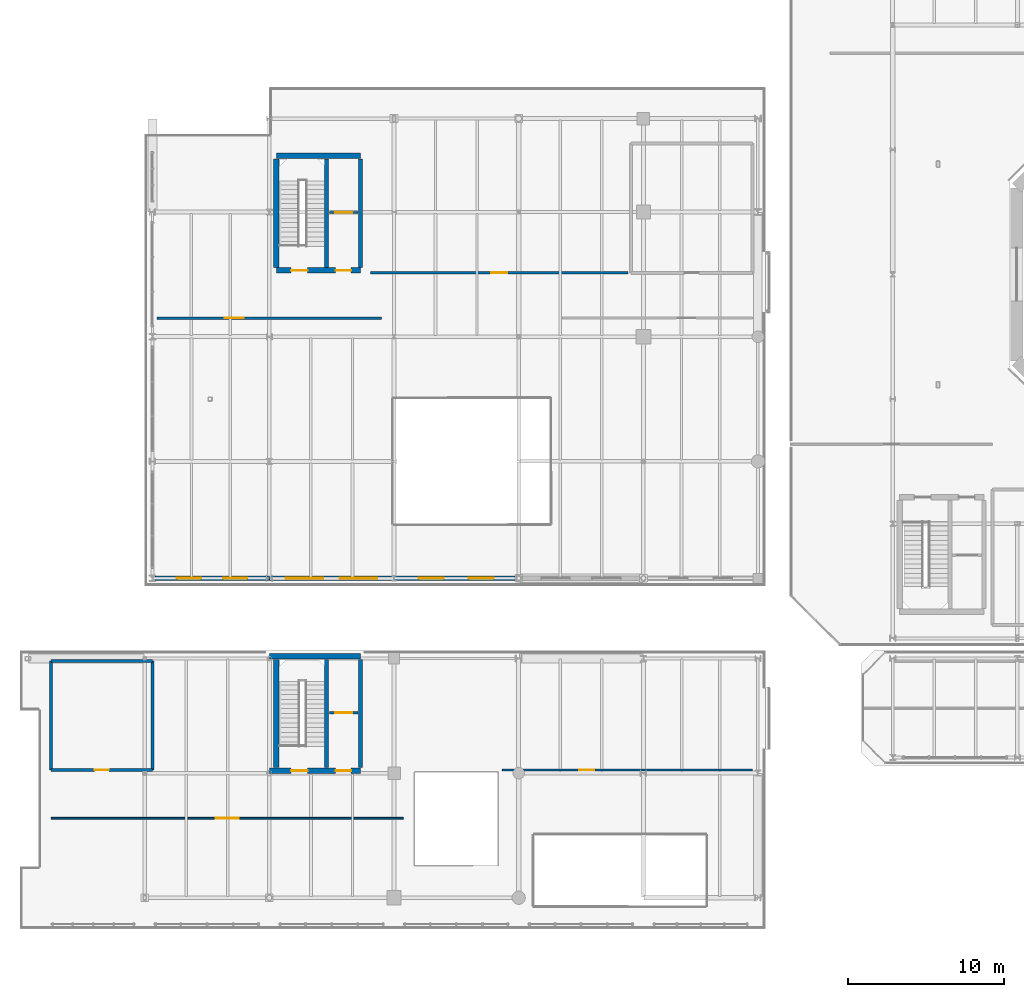
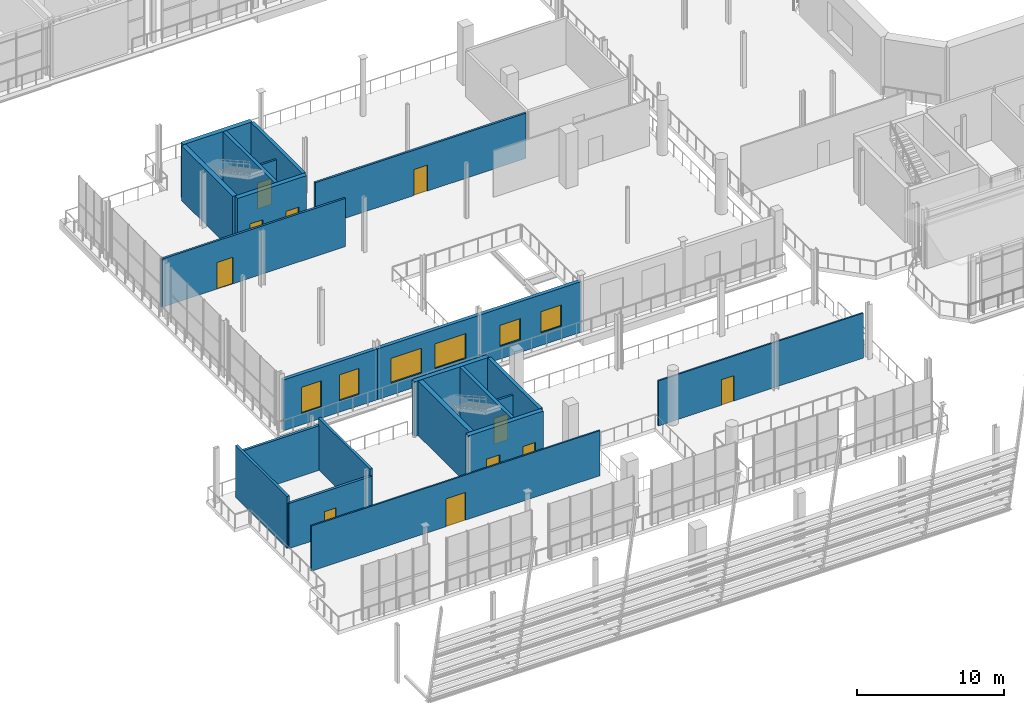
# One storey, part 68 of 93: 23 walls, 11 doors, 6 windows, 17 openings.
"""IFC4 building model written with IfcOpenShell, lengths in metres."""

from ifc_helpers import new_model, si_unit, direction, frame, frame_2d, origin, place, context, subcontext, project, spatial, rectangle, extrude, material, layer, layer_set, type_object, element, fill, save


model = new_model("IFC4")

# Units and contexts
model_context = context("Model", 3, precision=1e-05, world=origin(), true_north=direction((0.0, 1.0)))
body_context = subcontext(model_context, "Body", "Model", "MODEL_VIEW")
ifc_project = project(units=[si_unit("LENGTHUNIT", "METRE"), si_unit("AREAUNIT", "SQUARE_METRE"), si_unit("VOLUMEUNIT", "CUBIC_METRE"), si_unit("PLANEANGLEUNIT", "RADIAN"), si_unit("MASSUNIT", "GRAM", prefix="KILO")], contexts=[model_context])

# Site, building, storey
site_placement = place(None, origin())
site = spatial("IfcSite", under=ifc_project, at=site_placement, CompositionType="ELEMENT")
building_placement = place(site_placement, origin())
building = spatial("IfcBuilding", under=site, at=building_placement, Name="Brisemont Oceanarium", CompositionType="ELEMENT")
storey_placement = place(building_placement, frame((0.0, 0.0, 5.39990234375)))
storey = spatial("IfcBuildingStorey", under=building, at=storey_placement, Name="L01", CompositionType="ELEMENT", Elevation=5.39990234375)

# Wall, openings, windows
ifc_material_1 = material(Name="Beaux-Arts Limestone Cladding Precast Concrete C40/50", Category="masonry")
ifc_layer_1 = layer(ifc_material_1, 0.280029296875)
ifc_layer_set_1 = layer_set([ifc_layer_1], Name="Beaux-Arts Limestone Cladding Precast Concrete C40/50")
wall_type_1 = type_object("IfcWallType", Name="EW-LIME-280", PredefinedType="STANDARD", material=ifc_layer_set_1)
wall_1_placement = place(storey_placement, frame((16.64990234375, 36.5, 0.0), z_axis=(0.0, 0.0, 1.0), x_axis=(1.0, 0.0, 0.0)))
wall_1 = element("IfcWall", 1, at=wall_1_placement, inside=storey, type_object=wall_type_1, Name="Beaux-Arts exterior wall EW-V5WS-L01-1", PredefinedType="STANDARD", context=body_context, shape_type="SweptSolid", body=[
    extrude(rectangle(XDim=7.35009765625, YDim=0.280029296875, at=frame_2d((3.675048828125, 0.0))), origin(), (0.0, 0.0, 1.0), 4.2001953125),
])
opening_1_placement = place(wall_1_placement, frame((1.416748046875, 0.0, 0.949951171875)))
opening_1 = element("IfcOpeningElement", 2, at=opening_1_placement, cuts=wall_1, Name="Opening WIN-21", PredefinedType="OPENING", context=body_context, shape_type="SweptSolid", body=[
    extrude(rectangle(XDim=1.550048828125, YDim=2.14990234375, at=frame_2d((0.77490234375, 1.074951171875))), frame((0.0, 0.14990234375, 0.0), z_axis=(0.0, -1.0, 0.0), x_axis=(1.0, 0.0, 0.0)), (0.0, 0.0, 1.0), 0.300048828125),
])
opening_2_placement = place(wall_1_placement, frame((4.38330078125, 0.0, 0.949951171875)))
opening_2 = element("IfcOpeningElement", 3, at=opening_2_placement, cuts=wall_1, Name="Opening WIN-21", PredefinedType="OPENING", context=body_context, shape_type="SweptSolid", body=[
    extrude(rectangle(XDim=1.550048828125, YDim=2.14990234375, at=frame_2d((0.77490234375, 1.074951171875))), frame((0.0, 0.14990234375, 0.0), z_axis=(0.0, -1.0, 0.0), x_axis=(1.0, 0.0, 0.0)), (0.0, 0.0, 1.0), 0.300048828125),
])
ifc_material_2 = material(Name="Insulated Low-E Laminated Glass", Category="glass")
window_type_1 = type_object("IfcWindowType", Name="WIN-BA-1550X2150", PartitioningType="SINGLE_PANEL", PredefinedType="WINDOW", material=ifc_material_2)
window_1_placement = place(opening_1_placement, origin())
window_1 = element("IfcWindow", 4, at=window_1_placement, inside=storey, type_object=window_type_1, Name="WIN-21 facade window 21", OverallHeight=2.14990234375, OverallWidth=1.550048828125, PartitioningType="SINGLE_PANEL", PredefinedType="WINDOW", context=body_context, shape_type="SweptSolid", body=[
    extrude(rectangle(XDim=1.550048828125, YDim=2.14990234375, at=frame_2d((0.77490234375, 1.074951171875))), frame((0.0, 0.030029296875, 0.0), z_axis=(0.0, -1.0, 0.0), x_axis=(1.0, 0.0, 0.0)), (0.0, 0.0, 1.0), 0.06005859375),
])
fill(opening_1, window_1)
window_2_placement = place(opening_2_placement, origin())
window_2 = element("IfcWindow", 5, at=window_2_placement, inside=storey, type_object=window_type_1, Name="WIN-21 facade window 22", OverallHeight=2.14990234375, OverallWidth=1.550048828125, PartitioningType="SINGLE_PANEL", PredefinedType="WINDOW", context=body_context, shape_type="SweptSolid", body=[
    extrude(rectangle(XDim=1.550048828125, YDim=2.14990234375, at=frame_2d((0.77490234375, 1.074951171875))), frame((0.0, 0.030029296875, 0.0), z_axis=(0.0, -1.0, 0.0), x_axis=(1.0, 0.0, 0.0)), (0.0, 0.0, 1.0), 0.06005859375),
])
fill(opening_2, window_2)

wall_2_placement = place(storey_placement, frame((24.0, 36.5, 0.0), z_axis=(0.0, 0.0, 1.0), x_axis=(1.0, 0.0, 0.0)))
wall_2 = element("IfcWall", 6, at=wall_2_placement, inside=storey, type_object=wall_type_1, Name="Beaux-Arts exterior wall EW-V5WS-L01-2", PredefinedType="STANDARD", context=body_context, shape_type="SweptSolid", body=[
    extrude(rectangle(XDim=8.0, YDim=0.280029296875, at=frame_2d((4.0, 0.0))), origin(), (0.0, 0.0, 1.0), 4.2001953125),
])
opening_3_placement = place(wall_2_placement, frame((1.066650390625, 0.0, 1.0)))
opening_3 = element("IfcOpeningElement", 7, at=opening_3_placement, cuts=wall_2, Name="Opening WIN-25", PredefinedType="OPENING", context=body_context, shape_type="SweptSolid", body=[
    extrude(rectangle(XDim=2.39990234375, YDim=2.050048828125, at=frame_2d((1.199951171875, 1.02490234375))), frame((0.0, 0.14990234375, 0.0), z_axis=(0.0, -1.0, 0.0), x_axis=(1.0, 0.0, 0.0)), (0.0, 0.0, 1.0), 0.300048828125),
])
opening_4_placement = place(wall_2_placement, frame((4.533203125, 0.0, 1.0)))
opening_4 = element("IfcOpeningElement", 8, at=opening_4_placement, cuts=wall_2, Name="Opening WIN-25", PredefinedType="OPENING", context=body_context, shape_type="SweptSolid", body=[
    extrude(rectangle(XDim=2.39990234375, YDim=2.050048828125, at=frame_2d((1.199951171875, 1.02490234375))), frame((0.0, 0.14990234375, 0.0), z_axis=(0.0, -1.0, 0.0), x_axis=(1.0, 0.0, 0.0)), (0.0, 0.0, 1.0), 0.300048828125),
])
ifc_material_3 = material(Name="Insulated Low-E Laminated Glass", Category="glass")
window_type_2 = type_object("IfcWindowType", Name="WIN-LAB-2400X2050", PartitioningType="SINGLE_PANEL", PredefinedType="WINDOW", material=ifc_material_3)
window_3_placement = place(opening_3_placement, origin())
window_3 = element("IfcWindow", 9, at=window_3_placement, inside=storey, type_object=window_type_2, Name="WIN-25 facade window 25", OverallHeight=2.050048828125, OverallWidth=2.39990234375, PartitioningType="SINGLE_PANEL", PredefinedType="WINDOW", context=body_context, shape_type="SweptSolid", body=[
    extrude(rectangle(XDim=2.39990234375, YDim=2.050048828125, at=frame_2d((1.199951171875, 1.02490234375))), frame((0.0, 0.030029296875, 0.0), z_axis=(0.0, -1.0, 0.0), x_axis=(1.0, 0.0, 0.0)), (0.0, 0.0, 1.0), 0.06005859375),
])
fill(opening_3, window_3)
window_4_placement = place(opening_4_placement, origin())
window_4 = element("IfcWindow", 10, at=window_4_placement, inside=storey, type_object=window_type_2, Name="WIN-25 facade window 26", OverallHeight=2.050048828125, OverallWidth=2.39990234375, PartitioningType="SINGLE_PANEL", PredefinedType="WINDOW", context=body_context, shape_type="SweptSolid", body=[
    extrude(rectangle(XDim=2.39990234375, YDim=2.050048828125, at=frame_2d((1.199951171875, 1.02490234375))), frame((0.0, 0.030029296875, 0.0), z_axis=(0.0, -1.0, 0.0), x_axis=(1.0, 0.0, 0.0)), (0.0, 0.0, 1.0), 0.06005859375),
])
fill(opening_4, window_4)

wall_3_placement = place(storey_placement, frame((32.0, 36.5, 0.0), z_axis=(0.0, 0.0, 1.0), x_axis=(1.0, 0.0, 0.0)))
wall_3 = element("IfcWall", 11, at=wall_3_placement, inside=storey, type_object=wall_type_1, Name="Beaux-Arts exterior wall EW-V5WS-L01-3", PredefinedType="STANDARD", context=body_context, shape_type="SweptSolid", body=[
    extrude(rectangle(XDim=8.0, YDim=0.280029296875, at=frame_2d((4.0, 0.0))), origin(), (0.0, 0.0, 1.0), 4.2001953125),
])
opening_5_placement = place(wall_3_placement, frame((1.60009765625, 0.0, 1.050048828125)))
opening_5 = element("IfcOpeningElement", 12, at=opening_5_placement, cuts=wall_3, Name="Opening WIN-27", PredefinedType="OPENING", context=body_context, shape_type="SweptSolid", body=[
    extrude(rectangle(XDim=1.60009765625, YDim=1.75, at=frame_2d((0.800048828125, 0.875))), frame((0.0, 0.14990234375, 0.0), z_axis=(0.0, -1.0, 0.0), x_axis=(1.0, 0.0, 0.0)), (0.0, 0.0, 1.0), 0.300048828125),
])
opening_6_placement = place(wall_3_placement, frame((4.800048828125, 0.0, 1.050048828125)))
opening_6 = element("IfcOpeningElement", 13, at=opening_6_placement, cuts=wall_3, Name="Opening WIN-27", PredefinedType="OPENING", context=body_context, shape_type="SweptSolid", body=[
    extrude(rectangle(XDim=1.60009765625, YDim=1.75, at=frame_2d((0.800048828125, 0.875))), frame((0.0, 0.14990234375, 0.0), z_axis=(0.0, -1.0, 0.0), x_axis=(1.0, 0.0, 0.0)), (0.0, 0.0, 1.0), 0.300048828125),
])
ifc_material_4 = material(Name="Insulated Low-E Laminated Glass", Category="glass")
window_type_3 = type_object("IfcWindowType", Name="WIN-LAB-1600X1750", PartitioningType="SINGLE_PANEL", PredefinedType="WINDOW", material=ifc_material_4)
window_5_placement = place(opening_5_placement, origin())
window_5 = element("IfcWindow", 14, at=window_5_placement, inside=storey, type_object=window_type_3, Name="WIN-27 facade window 27", OverallHeight=1.75, OverallWidth=1.60009765625, PartitioningType="SINGLE_PANEL", PredefinedType="WINDOW", context=body_context, shape_type="SweptSolid", body=[
    extrude(rectangle(XDim=1.60009765625, YDim=1.75, at=frame_2d((0.800048828125, 0.875))), frame((0.0, 0.030029296875, 0.0), z_axis=(0.0, -1.0, 0.0), x_axis=(1.0, 0.0, 0.0)), (0.0, 0.0, 1.0), 0.06005859375),
])
fill(opening_5, window_5)
window_6_placement = place(opening_6_placement, origin())
window_6 = element("IfcWindow", 15, at=window_6_placement, inside=storey, type_object=window_type_3, Name="WIN-27 facade window 28", OverallHeight=1.75, OverallWidth=1.60009765625, PartitioningType="SINGLE_PANEL", PredefinedType="WINDOW", context=body_context, shape_type="SweptSolid", body=[
    extrude(rectangle(XDim=1.60009765625, YDim=1.75, at=frame_2d((0.800048828125, 0.875))), frame((0.0, 0.030029296875, 0.0), z_axis=(0.0, -1.0, 0.0), x_axis=(1.0, 0.0, 0.0)), (0.0, 0.0, 1.0), 0.06005859375),
])
fill(opening_6, window_6)

# Wall, opening, door
ifc_material_5 = material(Name="Moisture-Resistant Gypsum Steel-Stud Partition", Category="steel")
ifc_layer_2 = layer(ifc_material_5, 0.159912109375)
ifc_layer_set_2 = layer_set([ifc_layer_2], Name="Moisture-Resistant Gypsum Steel-Stud Partition")
wall_type_2 = type_object("IfcWallType", Name="IW-FB-160", PredefinedType="PARTITIONING", material=ifc_layer_set_2)
wall_4_placement = place(storey_placement, frame((27.85009765625, 27.8701171875, 0.0), z_axis=(0.0, 0.0, 1.0), x_axis=(1.0, 0.0, 0.0)))
wall_4 = element("IfcWall", 16, at=wall_4_placement, inside=storey, type_object=wall_type_2, Name="Core C3 L01 lift hoistway front wall", PredefinedType="PARTITIONING", context=body_context, shape_type="SweptSolid", body=[
    extrude(rectangle(XDim=1.83984375, YDim=0.159912109375, at=frame_2d((0.919921875, 0.0))), origin(), (0.0, 0.0, 1.0), 3.60009765625),
])
opening_7_placement = place(wall_4_placement, frame((0.3701171875, 0.0, 0.0)))
opening_7 = element("IfcOpeningElement", 17, at=opening_7_placement, cuts=wall_4, Name="Opening LD-01", PredefinedType="OPENING", context=body_context, shape_type="SweptSolid", body=[
    extrude(rectangle(XDim=1.10009765625, YDim=2.14990234375, at=frame_2d((0.550048828125, 1.074951171875))), frame((0.0, 0.08984375, 0.0), z_axis=(0.0, -1.0, 0.0), x_axis=(1.0, 0.0, 0.0)), (0.0, 0.0, 1.0), 0.179931640625),
])
ifc_material_6 = material(Name="Duplex Stainless Steel EN 1.4462", Category="steel")
door_type_1 = type_object("IfcDoorType", Name="DR-LIFT-1100X2150", OperationType="NOTDEFINED", PredefinedType="DOOR", material=ifc_material_6)
door_1_placement = place(opening_7_placement, origin())
door_1 = element("IfcDoor", 18, at=door_1_placement, inside=storey, type_object=door_type_1, Name="Lift landing door LF-03 L01", OperationType="SLIDING_TO_LEFT", OverallHeight=2.14990234375, OverallWidth=1.10009765625, PredefinedType="DOOR", context=body_context, shape_type="SweptSolid", body=[
    extrude(rectangle(XDim=1.10009765625, YDim=2.14990234375, at=frame_2d((0.550048828125, 1.074951171875))), frame((0.0, 0.02490234375, 0.0), z_axis=(0.0, -1.0, 0.0), x_axis=(1.0, 0.0, 0.0)), (0.0, 0.0, 1.0), 0.050048828125),
])
fill(opening_7, door_1)

wall_5_placement = place(storey_placement, frame((27.85009765625, 59.969970703125, 0.0), z_axis=(0.0, 0.0, 1.0), x_axis=(1.0, 0.0, 0.0)))
wall_5 = element("IfcWall", 19, at=wall_5_placement, inside=storey, type_object=wall_type_2, Name="Core C5 L01 lift hoistway front wall", PredefinedType="PARTITIONING", context=body_context, shape_type="SweptSolid", body=[
    extrude(rectangle(XDim=1.83984375, YDim=0.159912109375, at=frame_2d((0.919921875, 0.0))), origin(), (0.0, 0.0, 1.0), 3.60009765625),
])
opening_8_placement = place(wall_5_placement, frame((0.3701171875, 0.0, 0.0)))
opening_8 = element("IfcOpeningElement", 20, at=opening_8_placement, cuts=wall_5, Name="Opening LD-01", PredefinedType="OPENING", context=body_context, shape_type="SweptSolid", body=[
    extrude(rectangle(XDim=1.10009765625, YDim=2.14990234375, at=frame_2d((0.550048828125, 1.074951171875))), frame((0.0, 0.08984375, 0.0), z_axis=(0.0, -1.0, 0.0), x_axis=(1.0, 0.0, 0.0)), (0.0, 0.0, 1.0), 0.179931640625),
])
door_2_placement = place(opening_8_placement, origin())
door_2 = element("IfcDoor", 21, at=door_2_placement, inside=storey, type_object=door_type_1, Name="Lift landing door LF-05 L01", OperationType="SLIDING_TO_LEFT", OverallHeight=2.14990234375, OverallWidth=1.10009765625, PredefinedType="DOOR", context=body_context, shape_type="SweptSolid", body=[
    extrude(rectangle(XDim=1.10009765625, YDim=2.14990234375, at=frame_2d((0.550048828125, 1.074951171875))), frame((0.0, 0.02490234375, 0.0), z_axis=(0.0, -1.0, 0.0), x_axis=(1.0, 0.0, 0.0)), (0.0, 0.0, 1.0), 0.050048828125),
])
fill(opening_8, door_2)

wall_6_placement = place(storey_placement, frame((16.800048828125, 53.199951171875, 0.0), z_axis=(0.0, 0.0, 1.0), x_axis=(1.0, 0.0, 0.0)))
wall_6 = element("IfcWall", 22, at=wall_6_placement, inside=storey, type_object=wall_type_2, Name="Kelp Canopy Overlook Exhibit Gallery corridor partition", PredefinedType="PARTITIONING", context=body_context, shape_type="SweptSolid", body=[
    extrude(rectangle(XDim=14.39990234375, YDim=0.159912109375, at=frame_2d((7.199951171875, 0.0))), origin(), (0.0, 0.0, 1.0), 3.987060546875),
])
opening_9_placement = place(wall_6_placement, frame((4.3232421875, 0.0, 0.0)))
opening_9 = element("IfcOpeningElement", 23, at=opening_9_placement, cuts=wall_6, Name="Opening LB-02", PredefinedType="OPENING", context=body_context, shape_type="SweptSolid", body=[
    extrude(rectangle(XDim=1.25, YDim=2.199951171875, at=frame_2d((0.625, 1.10009765625))), frame((0.0, 0.08984375, 0.0), z_axis=(0.0, -1.0, 0.0), x_axis=(1.0, 0.0, 0.0)), (0.0, 0.0, 1.0), 0.179931640625),
])
ifc_material_7 = material(Name="Duplex Stainless Steel EN 1.4462", Category="steel")
door_type_2 = type_object("IfcDoorType", Name="DR-LAB-1250X2200", OperationType="NOTDEFINED", PredefinedType="DOOR", material=ifc_material_7)
door_3_placement = place(opening_9_placement, origin())
door_3 = element("IfcDoor", 24, at=door_3_placement, inside=storey, type_object=door_type_2, Name="LB-02 door to Kelp Canopy Overlook Exhibit Gallery", OperationType="SINGLE_SWING_RIGHT", OverallHeight=2.199951171875, OverallWidth=1.25, PredefinedType="DOOR", context=body_context, shape_type="SweptSolid", body=[
    extrude(rectangle(XDim=1.25, YDim=2.199951171875, at=frame_2d((0.625, 1.10009765625))), frame((0.0, 0.02490234375, 0.0), z_axis=(0.0, -1.0, 0.0), x_axis=(1.0, 0.0, 0.0)), (0.0, 0.0, 1.0), 0.050048828125),
])
fill(opening_9, door_3)

wall_7_placement = place(storey_placement, frame((30.5, 56.10009765625, 0.0), z_axis=(0.0, 0.0, 1.0), x_axis=(1.0, 0.0, 0.0)))
wall_7 = element("IfcWall", 25, at=wall_7_placement, inside=storey, type_object=wall_type_2, Name="Northern Pacific Fjord Exhibit Gallery corridor partition", PredefinedType="PARTITIONING", context=body_context, shape_type="SweptSolid", body=[
    extrude(rectangle(XDim=16.5, YDim=0.159912109375, at=frame_2d((8.25, 0.0))), origin(), (0.0, 0.0, 1.0), 3.758056640625),
])
opening_10_placement = place(wall_7_placement, frame((7.739990234375, 0.0, 0.0)))
opening_10 = element("IfcOpeningElement", 26, at=opening_10_placement, cuts=wall_7, Name="Opening D-01", PredefinedType="OPENING", context=body_context, shape_type="SweptSolid", body=[
    extrude(rectangle(XDim=1.02001953125, YDim=2.14990234375, at=frame_2d((0.510009765625, 1.074951171875))), frame((0.0, 0.08984375, 0.0), z_axis=(0.0, -1.0, 0.0), x_axis=(1.0, 0.0, 0.0)), (0.0, 0.0, 1.0), 0.179931640625),
])
ifc_material_8 = material(Name="FSC White Oak Solid-Core Fire Door")
door_type_3 = type_object("IfcDoorType", Name="DR-RM-1020X2150", OperationType="NOTDEFINED", PredefinedType="DOOR", material=ifc_material_8)
door_4_placement = place(opening_10_placement, origin())
door_4 = element("IfcDoor", 27, at=door_4_placement, inside=storey, type_object=door_type_3, Name="D-01 door to Northern Pacific Fjord Exhibit Gallery", OperationType="SINGLE_SWING_RIGHT", OverallHeight=2.14990234375, OverallWidth=1.02001953125, PredefinedType="DOOR", context=body_context, shape_type="SweptSolid", body=[
    extrude(rectangle(XDim=1.02001953125, YDim=2.14990234375, at=frame_2d((0.510009765625, 1.074951171875))), frame((0.0, 0.02490234375, 0.0), z_axis=(0.0, -1.0, 0.0), x_axis=(1.0, 0.0, 0.0)), (0.0, 0.0, 1.0), 0.050048828125),
])
fill(opening_10, door_4)

ifc_material_9 = material(Name="Moisture-Resistant Gypsum Steel-Stud Partition", Category="steel")
ifc_layer_3 = layer(ifc_material_9, 0.1201171875)
ifc_layer_set_3 = layer_set([ifc_layer_3], Name="Moisture-Resistant Gypsum Steel-Stud Partition")
wall_type_3 = type_object("IfcWallType", Name="IW-PART-120", PredefinedType="PARTITIONING", material=ifc_layer_set_3)
wall_8_placement = place(storey_placement, frame((10.0, 21.10009765625, 0.0), z_axis=(0.0, 0.0, 1.0), x_axis=(1.0, 0.0, 0.0)))
wall_8 = element("IfcWall", 28, at=wall_8_placement, inside=storey, type_object=wall_type_3, Name="Pelagic Migration Mezzanine Exhibit Gallery corridor partition", PredefinedType="PARTITIONING", context=body_context, shape_type="SweptSolid", body=[
    extrude(rectangle(XDim=22.60009765625, YDim=0.1201171875, at=frame_2d((11.300048828125, 0.0))), origin(), (0.0, 0.0, 1.0), 3.738037109375),
])
opening_11_placement = place(wall_8_placement, frame((10.550048828125, 0.0, 0.0)))
opening_11 = element("IfcOpeningElement", 29, at=opening_11_placement, cuts=wall_8, Name="Opening GD-03", PredefinedType="OPENING", context=body_context, shape_type="SweptSolid", body=[
    extrude(rectangle(XDim=1.5, YDim=2.300048828125, at=frame_2d((0.75, 1.14990234375))), frame((0.0, 0.070068359375, 0.0), z_axis=(0.0, -1.0, 0.0), x_axis=(1.0, 0.0, 0.0)), (0.0, 0.0, 1.0), 0.14013671875),
])
ifc_material_10 = material(Name="Patinated Architectural Bronze C38500")
door_type_4 = type_object("IfcDoorType", Name="DR-GAL-1500X2300", OperationType="NOTDEFINED", PredefinedType="DOOR", material=ifc_material_10)
door_5_placement = place(opening_11_placement, origin())
door_5 = element("IfcDoor", 30, at=door_5_placement, inside=storey, type_object=door_type_4, Name="GD-03 door to Pelagic Migration Mezzanine Exhibit Gallery", OperationType="SINGLE_SWING_LEFT", OverallHeight=2.300048828125, OverallWidth=1.5, PredefinedType="DOOR", context=body_context, shape_type="SweptSolid", body=[
    extrude(rectangle(XDim=1.5, YDim=2.300048828125, at=frame_2d((0.75, 1.14990234375))), frame((0.0, 0.02490234375, 0.0), z_axis=(0.0, -1.0, 0.0), x_axis=(1.0, 0.0, 0.0)), (0.0, 0.0, 1.0), 0.050048828125),
])
fill(opening_11, door_5)

wall_9_placement = place(storey_placement, frame((38.9599609375, 24.199951171875, 0.0), z_axis=(0.0, 0.0, 1.0), x_axis=(1.0, 0.0, 0.0)))
wall_9 = element("IfcWall", 31, at=wall_9_placement, inside=storey, type_object=wall_type_3, Name="Oceanographic Currents Interactive Gallery corridor partition", PredefinedType="PARTITIONING", context=body_context, shape_type="SweptSolid", body=[
    extrude(rectangle(XDim=16.0400390625, YDim=0.1201171875, at=frame_2d((8.02001953125, 0.0))), origin(), (0.0, 0.0, 1.0), 3.738037109375),
])
opening_12_placement = place(wall_9_placement, frame((4.94091796875, 0.0, 0.0)))
opening_12 = element("IfcOpeningElement", 32, at=opening_12_placement, cuts=wall_9, Name="Opening D-02", PredefinedType="OPENING", context=body_context, shape_type="SweptSolid", body=[
    extrude(rectangle(XDim=0.9599609375, YDim=2.10009765625, at=frame_2d((0.47998046875, 1.050048828125))), frame((0.0, 0.070068359375, 0.0), z_axis=(0.0, -1.0, 0.0), x_axis=(1.0, 0.0, 0.0)), (0.0, 0.0, 1.0), 0.14013671875),
])
ifc_material_11 = material(Name="FSC White Oak Solid-Core Fire Door")
door_type_5 = type_object("IfcDoorType", Name="DR-RM-960X2100", OperationType="NOTDEFINED", PredefinedType="DOOR", material=ifc_material_11)
door_6_placement = place(opening_12_placement, origin())
door_6 = element("IfcDoor", 33, at=door_6_placement, inside=storey, type_object=door_type_5, Name="D-02 door to Oceanographic Currents Interactive Gallery", OperationType="SINGLE_SWING_LEFT", OverallHeight=2.10009765625, OverallWidth=0.9599609375, PredefinedType="DOOR", context=body_context, shape_type="SweptSolid", body=[
    extrude(rectangle(XDim=0.9599609375, YDim=2.10009765625, at=frame_2d((0.47998046875, 1.050048828125))), frame((0.0, 0.02490234375, 0.0), z_axis=(0.0, -1.0, 0.0), x_axis=(1.0, 0.0, 0.0)), (0.0, 0.0, 1.0), 0.050048828125),
])
fill(opening_12, door_6)

ifc_material_12 = material(Name="Cementitious Tile-Backer Plumbing Wall")
ifc_layer_4 = layer(ifc_material_12, 0.199951171875)
ifc_layer_set_4 = layer_set([ifc_layer_4], Name="Cementitious Tile-Backer Plumbing Wall")
wall_type_4 = type_object("IfcWallType", Name="IW-PLUMB-200", PredefinedType="PLUMBINGWALL", material=ifc_layer_set_4)
wall_10_placement = place(storey_placement, frame((10.0, 24.199951171875, 0.0), z_axis=(0.0, 0.0, 1.0), x_axis=(1.0, 0.0, 0.0)))
wall_10 = element("IfcWall", 34, at=wall_10_placement, inside=storey, type_object=wall_type_4, Name="Accessible WC corridor partition", PredefinedType="PLUMBINGWALL", context=body_context, shape_type="SweptSolid", body=[
    extrude(rectangle(XDim=6.5, YDim=0.199951171875, at=frame_2d((3.25, 0.0))), origin(), (0.0, 0.0, 1.0), 3.738037109375),
])
opening_13_placement = place(wall_10_placement, frame((2.794921875, 0.0, 0.0)))
opening_13 = element("IfcOpeningElement", 35, at=opening_13_placement, cuts=wall_10, Name="Opening D-03", PredefinedType="OPENING", context=body_context, shape_type="SweptSolid", body=[
    extrude(rectangle(XDim=0.909912109375, YDim=2.10009765625, at=frame_2d((0.455078125, 1.050048828125))), frame((0.0, 0.10986328125, 0.0), z_axis=(0.0, -1.0, 0.0), x_axis=(1.0, 0.0, 0.0)), (0.0, 0.0, 1.0), 0.219970703125),
])
ifc_material_13 = material(Name="FSC White Oak Solid-Core Fire Door")
door_type_6 = type_object("IfcDoorType", Name="DR-WC-910X2100", OperationType="NOTDEFINED", PredefinedType="DOOR", material=ifc_material_13)
door_7_placement = place(opening_13_placement, origin())
door_7 = element("IfcDoor", 36, at=door_7_placement, inside=storey, type_object=door_type_6, Name="D-03 door to Accessible WC", OperationType="SINGLE_SWING_RIGHT", OverallHeight=2.10009765625, OverallWidth=0.909912109375, PredefinedType="DOOR", context=body_context, shape_type="SweptSolid", body=[
    extrude(rectangle(XDim=0.909912109375, YDim=2.10009765625, at=frame_2d((0.455078125, 1.050048828125))), frame((0.0, 0.02490234375, 0.0), z_axis=(0.0, -1.0, 0.0), x_axis=(1.0, 0.0, 0.0)), (0.0, 0.0, 1.0), 0.050048828125),
])
fill(opening_13, door_7)

# Walls
wall_11_placement = place(storey_placement, frame((10.0, 31.199951171875, 0.0), z_axis=(0.0, 0.0, 1.0), x_axis=(1.0, 0.0, 0.0)))
element("IfcWall", 37, at=wall_11_placement, inside=storey, type_object=wall_type_4, Name="Accessible WC enclosure wall N", PredefinedType="PLUMBINGWALL", context=body_context, shape_type="SweptSolid", body=[
    extrude(rectangle(XDim=6.5, YDim=0.199951171875, at=frame_2d((3.25, 0.0))), origin(), (0.0, 0.0, 1.0), 3.7001953125),
])
for number, where, z_axis, x_axis, name in (
    (38, (10.0, 24.199951171875, 0.0), (0.0, 0.0, 1.0), (0.0, 1.0, 0.0), "Accessible WC enclosure wall W"),
    (39, (16.5, 24.199951171875, 0.0), (0.0, 0.0, 1.0), (0.0, 1.0, 0.0), "Accessible WC enclosure wall E"),
):
    element("IfcWall", number, at=place(storey_placement, frame(where, z_axis=z_axis, x_axis=x_axis)), inside=storey, type_object=wall_type_4, Name=name, PredefinedType="PLUMBINGWALL", context=body_context, shape_type="SweptSolid", body=[
        extrude(rectangle(XDim=7.0, YDim=0.199951171875, at=frame_2d((3.5, 0.0))), origin(), (0.0, 0.0, 1.0), 4.2900390625),
    ])
ifc_material_14 = material(Name="Concrete C40/50", Category="concrete")
ifc_layer_5 = layer(ifc_material_14, 0.260009765625)
ifc_layer_set_5 = layer_set([ifc_layer_5], Name="Concrete C40/50")
wall_type_5 = type_object("IfcWallType", Name="SW-SHAFT-260", PredefinedType="SHEAR", material=ifc_layer_set_5)
for number, where, z_axis, x_axis, name in (
    (40, (29.85009765625, 24.35009765625, 0.0), (0.0, 0.0, 1.0), (0.0, 1.0, 0.0), "Core C3 L01 E RC shear wall"),
    (41, (27.669921875, 24.35009765625, 0.0), (0.0, 0.0, 1.0), (0.0, 1.0, 0.0), "Core C3 L01 MID RC shear wall"),
):
    element("IfcWall", number, at=place(storey_placement, frame(where, z_axis=z_axis, x_axis=x_axis)), inside=storey, type_object=wall_type_5, Name=name, PredefinedType="SHEAR", context=body_context, shape_type="SweptSolid", body=[
        extrude(rectangle(XDim=6.949951171875, YDim=0.260009765625, at=frame_2d((3.47509765625, 0.0))), origin(), (0.0, 0.0, 1.0), 4.530029296875),
    ])
for number, where, z_axis, x_axis, name in (
    (42, (29.85009765625, 56.449951171875, 0.0), (0.0, 0.0, 1.0), (0.0, 1.0, 0.0), "Core C5 L01 E RC shear wall"),
    (43, (27.669921875, 56.449951171875, 0.0), (0.0, 0.0, 1.0), (0.0, 1.0, 0.0), "Core C5 L01 MID RC shear wall"),
):
    element("IfcWall", number, at=place(storey_placement, frame(where, z_axis=z_axis, x_axis=x_axis)), inside=storey, type_object=wall_type_5, Name=name, PredefinedType="SHEAR", context=body_context, shape_type="SweptSolid", body=[
        extrude(rectangle(XDim=6.949951171875, YDim=0.260009765625, at=frame_2d((3.47509765625, 0.0))), origin(), (0.0, 0.0, 1.0), 4.550048828125),
    ])

# Wall, openings, doors
ifc_material_15 = material(Name="Concrete C40/50", Category="concrete")
ifc_layer_6 = layer(ifc_material_15, 0.35009765625)
ifc_layer_set_6 = layer_set([ifc_layer_6], Name="Concrete C40/50")
wall_type_6 = type_object("IfcWallType", Name="SW-STAIR-350", PredefinedType="SHEAR", material=ifc_layer_set_6)
wall_12_placement = place(storey_placement, frame((24.0, 24.14990234375, 0.0), z_axis=(0.0, 0.0, 1.0), x_axis=(1.0, 0.0, 0.0)))
wall_12 = element("IfcWall", 44, at=wall_12_placement, inside=storey, type_object=wall_type_6, Name="Core C3 L01 corridor RC shear wall", PredefinedType="SHEAR", context=body_context, shape_type="SweptSolid", body=[
    extrude(rectangle(XDim=5.85009765625, YDim=0.35009765625, at=frame_2d((2.925048828125, 0.0))), origin(), (0.0, 0.0, 1.0), 4.530029296875),
])
opening_14_placement = place(wall_12_placement, frame((1.39990234375, 0.0, 0.0)))
opening_14 = element("IfcOpeningElement", 45, at=opening_14_placement, cuts=wall_12, Name="Opening SD-02", PredefinedType="OPENING", context=body_context, shape_type="SweptSolid", body=[
    extrude(rectangle(XDim=1.050048828125, YDim=2.10009765625, at=frame_2d((0.52490234375, 1.050048828125))), frame((0.0, 0.18505859375, 0.0), z_axis=(0.0, -1.0, 0.0), x_axis=(1.0, 0.0, 0.0)), (0.0, 0.0, 1.0), 0.3701171875),
])
opening_15_placement = place(wall_12_placement, frame((4.25, 0.0, 0.0)))
opening_15 = element("IfcOpeningElement", 46, at=opening_15_placement, cuts=wall_12, Name="Opening FD90-2", PredefinedType="OPENING", context=body_context, shape_type="SweptSolid", body=[
    extrude(rectangle(XDim=1.0, YDim=2.14990234375, at=frame_2d((0.5, 1.074951171875))), frame((0.0, 0.18505859375, 0.0), z_axis=(0.0, -1.0, 0.0), x_axis=(1.0, 0.0, 0.0)), (0.0, 0.0, 1.0), 0.3701171875),
])
ifc_material_16 = material(Name="FSC White Oak Solid-Core Fire Door")
door_type_7 = type_object("IfcDoorType", Name="DR-LOB-1000X2150", OperationType="NOTDEFINED", PredefinedType="DOOR", material=ifc_material_16)
door_8_placement = place(opening_15_placement, origin())
door_8 = element("IfcDoor", 47, at=door_8_placement, inside=storey, type_object=door_type_7, Name="Lift lobby door C3 L01", OperationType="SINGLE_SWING_LEFT", OverallHeight=2.14990234375, OverallWidth=1.0, PredefinedType="DOOR", context=body_context, shape_type="SweptSolid", body=[
    extrude(rectangle(XDim=1.0, YDim=2.14990234375, at=frame_2d((0.5, 1.074951171875))), frame((0.0, 0.02490234375, 0.0), z_axis=(0.0, -1.0, 0.0), x_axis=(1.0, 0.0, 0.0)), (0.0, 0.0, 1.0), 0.050048828125),
])
fill(opening_15, door_8)
ifc_material_17 = material(Name="Duplex Stainless Steel EN 1.4462", Category="steel")
door_type_8 = type_object("IfcDoorType", Name="DR-STAIR-1050X2100", OperationType="NOTDEFINED", PredefinedType="DOOR", material=ifc_material_17)
door_9_placement = place(opening_14_placement, origin())
door_9 = element("IfcDoor", 48, at=door_9_placement, inside=storey, type_object=door_type_8, Name="Exit stair door ST-03 L01", OperationType="SINGLE_SWING_RIGHT", OverallHeight=2.10009765625, OverallWidth=1.050048828125, PredefinedType="DOOR", context=body_context, shape_type="SweptSolid", body=[
    extrude(rectangle(XDim=1.050048828125, YDim=2.10009765625, at=frame_2d((0.52490234375, 1.050048828125))), frame((0.0, 0.02490234375, 0.0), z_axis=(0.0, -1.0, 0.0), x_axis=(1.0, 0.0, 0.0)), (0.0, 0.0, 1.0), 0.050048828125),
])
fill(opening_14, door_9)

# Walls
wall_13_placement = place(storey_placement, frame((24.0, 31.5, 0.0), z_axis=(0.0, 0.0, 1.0), x_axis=(1.0, 0.0, 0.0)))
element("IfcWall", 49, at=wall_13_placement, inside=storey, type_object=wall_type_6, Name="Core C3 L01 BCK RC shear wall", PredefinedType="SHEAR", context=body_context, shape_type="SweptSolid", body=[
    extrude(rectangle(XDim=5.85009765625, YDim=0.35009765625, at=frame_2d((2.925048828125, 0.0))), origin(), (0.0, 0.0, 1.0), 4.530029296875),
])
wall_14_placement = place(storey_placement, frame((24.449951171875, 24.35009765625, 0.0), z_axis=(0.0, 0.0, 1.0), x_axis=(0.0, 1.0, 0.0)))
element("IfcWall", 50, at=wall_14_placement, inside=storey, type_object=wall_type_6, Name="Core C3 L01 W RC shear wall", PredefinedType="SHEAR", context=body_context, shape_type="SweptSolid", body=[
    extrude(rectangle(XDim=6.949951171875, YDim=0.35009765625, at=frame_2d((3.47509765625, 0.0))), origin(), (0.0, 0.0, 1.0), 4.530029296875),
])

# Wall, openings, doors
wall_15_placement = place(storey_placement, frame((24.449951171875, 56.25, 0.0), z_axis=(0.0, 0.0, 1.0), x_axis=(1.0, 0.0, 0.0)))
wall_15 = element("IfcWall", 51, at=wall_15_placement, inside=storey, type_object=wall_type_6, Name="Core C5 L01 corridor RC shear wall", PredefinedType="SHEAR", context=body_context, shape_type="SweptSolid", body=[
    extrude(rectangle(XDim=5.400146484375, YDim=0.35009765625, at=frame_2d((2.7001953125, 0.0))), origin(), (0.0, 0.0, 1.0), 4.550048828125),
])
opening_16_placement = place(wall_15_placement, frame((0.949951171875, 0.0, 0.0)))
opening_16 = element("IfcOpeningElement", 52, at=opening_16_placement, cuts=wall_15, Name="Opening SD-02", PredefinedType="OPENING", context=body_context, shape_type="SweptSolid", body=[
    extrude(rectangle(XDim=1.050048828125, YDim=2.10009765625, at=frame_2d((0.52490234375, 1.050048828125))), frame((0.0, 0.18505859375, 0.0), z_axis=(0.0, -1.0, 0.0), x_axis=(1.0, 0.0, 0.0)), (0.0, 0.0, 1.0), 0.3701171875),
])
opening_17_placement = place(wall_15_placement, frame((3.800048828125, 0.0, 0.0)))
opening_17 = element("IfcOpeningElement", 53, at=opening_17_placement, cuts=wall_15, Name="Opening FD90-2", PredefinedType="OPENING", context=body_context, shape_type="SweptSolid", body=[
    extrude(rectangle(XDim=1.0, YDim=2.14990234375, at=frame_2d((0.5, 1.074951171875))), frame((0.0, 0.18505859375, 0.0), z_axis=(0.0, -1.0, 0.0), x_axis=(1.0, 0.0, 0.0)), (0.0, 0.0, 1.0), 0.3701171875),
])
door_10_placement = place(opening_17_placement, origin())
door_10 = element("IfcDoor", 54, at=door_10_placement, inside=storey, type_object=door_type_7, Name="Lift lobby door C5 L01", OperationType="SINGLE_SWING_LEFT", OverallHeight=2.14990234375, OverallWidth=1.0, PredefinedType="DOOR", context=body_context, shape_type="SweptSolid", body=[
    extrude(rectangle(XDim=1.0, YDim=2.14990234375, at=frame_2d((0.5, 1.074951171875))), frame((0.0, 0.02490234375, 0.0), z_axis=(0.0, -1.0, 0.0), x_axis=(1.0, 0.0, 0.0)), (0.0, 0.0, 1.0), 0.050048828125),
])
fill(opening_17, door_10)
door_11_placement = place(opening_16_placement, origin())
door_11 = element("IfcDoor", 55, at=door_11_placement, inside=storey, type_object=door_type_8, Name="Exit stair door ST-05 L01", OperationType="SINGLE_SWING_RIGHT", OverallHeight=2.10009765625, OverallWidth=1.050048828125, PredefinedType="DOOR", context=body_context, shape_type="SweptSolid", body=[
    extrude(rectangle(XDim=1.050048828125, YDim=2.10009765625, at=frame_2d((0.52490234375, 1.050048828125))), frame((0.0, 0.02490234375, 0.0), z_axis=(0.0, -1.0, 0.0), x_axis=(1.0, 0.0, 0.0)), (0.0, 0.0, 1.0), 0.050048828125),
])
fill(opening_16, door_11)

# Walls
wall_16_placement = place(storey_placement, frame((24.449951171875, 63.60009765625, 0.0), z_axis=(0.0, 0.0, 1.0), x_axis=(1.0, 0.0, 0.0)))
element("IfcWall", 56, at=wall_16_placement, inside=storey, type_object=wall_type_6, Name="Core C5 L01 BCK RC shear wall", PredefinedType="SHEAR", context=body_context, shape_type="SweptSolid", body=[
    extrude(rectangle(XDim=5.400146484375, YDim=0.35009765625, at=frame_2d((2.7001953125, 0.0))), origin(), (0.0, 0.0, 1.0), 4.550048828125),
])
wall_17_placement = place(storey_placement, frame((24.449951171875, 56.449951171875, 0.0), z_axis=(0.0, 0.0, 1.0), x_axis=(0.0, 1.0, 0.0)))
element("IfcWall", 57, at=wall_17_placement, inside=storey, type_object=wall_type_6, Name="Core C5 L01 W RC shear wall", PredefinedType="SHEAR", context=body_context, shape_type="SweptSolid", body=[
    extrude(rectangle(XDim=6.949951171875, YDim=0.35009765625, at=frame_2d((3.47509765625, 0.0))), origin(), (0.0, 0.0, 1.0), 4.550048828125),
])

save(model, "model.ifc")
